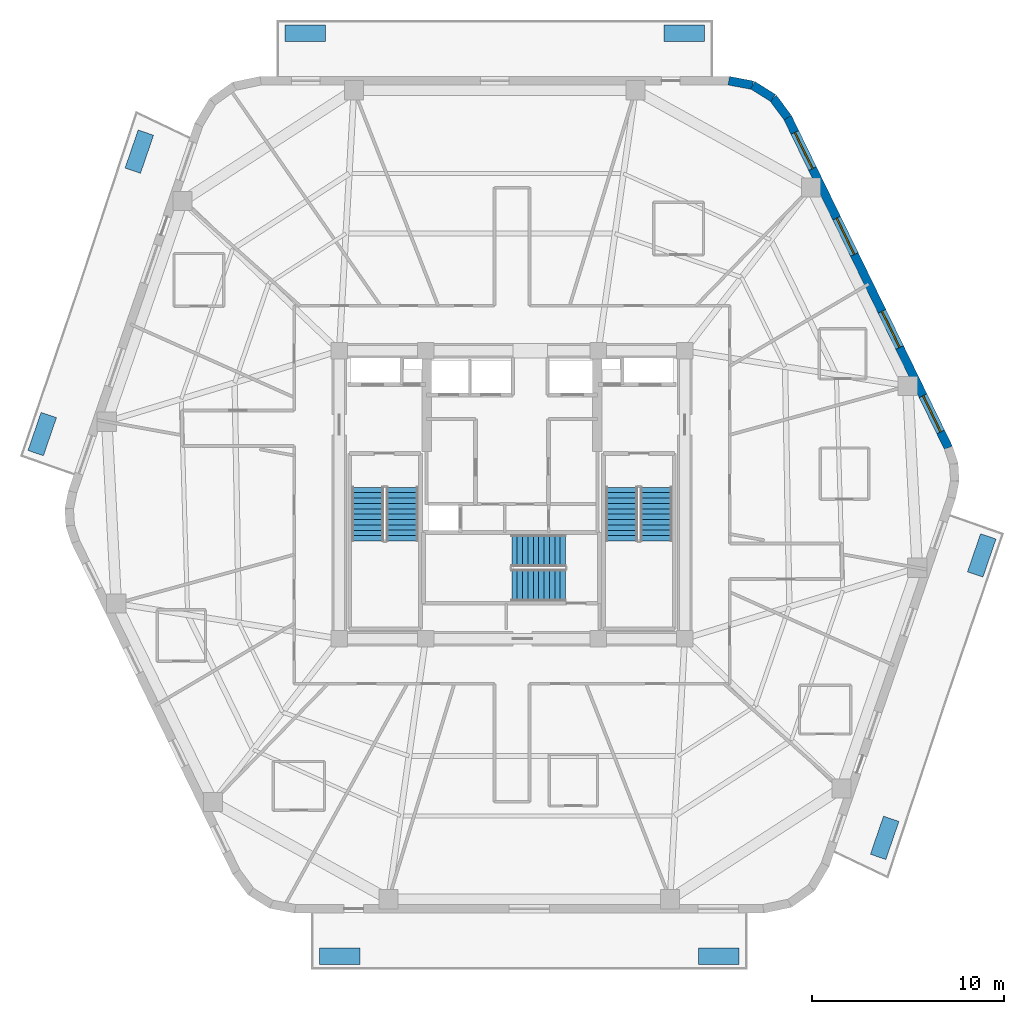
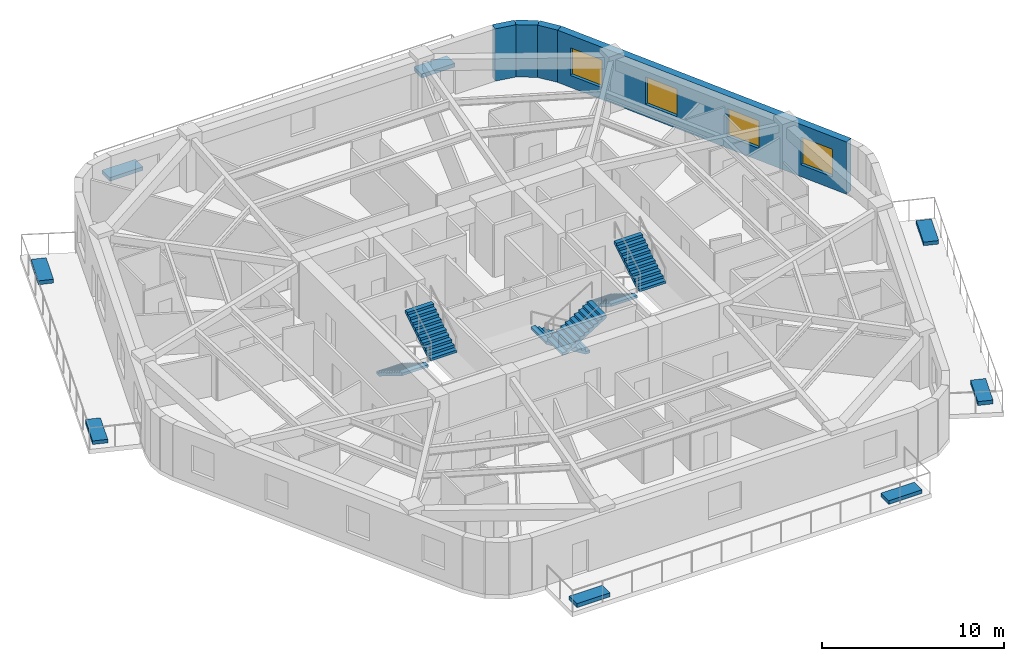
# One storey, part 7 of 9: 8 discrete accessories, 6 stair flights, 4 walls, 4 windows, 4 openings, 3 elements without a shape of their own.
"""IFC4 building model written with IfcOpenShell, lengths in metres."""

import ifcopenshell
import ifcopenshell.guid

model = None  # the IFC model being written
_history = None  # IfcOwnerHistory: only IFC2X3 demands one
_inside = {}  # id of a spatial element -> (the spatial element, [elements in it])
_under = {}  # id of a project, library or spatial element -> (it, [spatial elements below it])
_declared = {}  # id of a project -> (the project, [libraries it declares])
_typed = {}  # id of a type object -> (the type object, [elements of that type])
_made_of = {}  # id of a material, layer set ... -> (it, [elements and type objects made of it])


def new_model(schema):
    """Start an empty IFC model of exactly this schema.

    Asked for "IFC4X3", IfcOpenShell would pick the latest addendum, in which some entities
    have other attributes; the version numbers below select the first issue.
    IFC2X3 requires an IfcOwnerHistory on every rooted entity: one is made here for all.
    """
    global model, _history
    if schema == "IFC4X3":
        model = ifcopenshell.file(schema_version=(4, 3, 0, 0))
    else:
        model = ifcopenshell.file(schema=schema)
    _inside.clear()
    _under.clear()
    _declared.clear()
    _typed.clear()
    _made_of.clear()
    _history = None
    if model.schema == "IFC2X3":
        org = make("IfcOrganization", Name="unknown")
        user = make(
            "IfcPersonAndOrganization",
            ThePerson=make("IfcPerson", FamilyName="unknown"),
            TheOrganization=org,
        )
        app = make(
            "IfcApplication",
            ApplicationDeveloper=org,
            Version="unknown",
            ApplicationFullName="unknown",
            ApplicationIdentifier="unknown",
        )
        _history = make(
            "IfcOwnerHistory",
            OwningUser=user,
            OwningApplication=app,
            ChangeAction="ADDED",
            CreationDate=0,
        )
    return model


def make(cls, **values):
    """One entity of the class cls with the attributes given. An attribute that is None is left unset."""
    return model.create_entity(
        cls, **{name: value for name, value in values.items() if value is not None}
    )


def rooted(cls, **values):
    """An entity with a GlobalId (a new one), such as an element, a storey or a relation."""
    return make(cls, GlobalId=ifcopenshell.guid.new(), OwnerHistory=_history, **values)


def si_unit(unit_type, name, prefix=None):
    """IfcSIUnit, for example si_unit("LENGTHUNIT", "METRE", prefix="MILLI")."""
    return make("IfcSIUnit", UnitType=unit_type, Prefix=prefix, Name=name)


def assignment(units):
    """IfcUnitAssignment: the units of a project."""
    return None if units is None else make("IfcUnitAssignment", Units=units)


def point(xyz):
    """IfcCartesianPoint."""
    return None if xyz is None else make("IfcCartesianPoint", Coordinates=xyz)


def direction(xyz):
    """IfcDirection."""
    return None if xyz is None else make("IfcDirection", DirectionRatios=xyz)


def frame(location, z_axis=None, x_axis=None):
    """IfcAxis2Placement3D, a coordinate frame: its origin and axes. An axis left out is left unset."""
    return make(
        "IfcAxis2Placement3D",
        Location=point(location),
        Axis=direction(z_axis),
        RefDirection=direction(x_axis),
    )


def frame_2d(location, x_axis=None):
    """IfcAxis2Placement2D, a coordinate frame in the plane: its origin and x axis."""
    return make(
        "IfcAxis2Placement2D", Location=point(location), RefDirection=direction(x_axis)
    )


def origin():
    """The frame at (0, 0, 0) with its axes left unset."""
    return frame((0.0, 0.0, 0.0))


def origin_2d():
    """The frame at (0, 0) in the plane with its x axis left unset."""
    return frame_2d((0.0, 0.0))


def place(relative_to, where):
    """IfcLocalPlacement: puts the frame where relative to a parent placement (None: the world)."""
    return make(
        "IfcLocalPlacement", PlacementRelTo=relative_to, RelativePlacement=where
    )


def context(
    kind, dimensions, precision=None, world=None, true_north=None, identifier=None
):
    """IfcGeometricRepresentationContext, for example the 3D "Model" context."""
    return make(
        "IfcGeometricRepresentationContext",
        ContextIdentifier=identifier,
        ContextType=kind,
        CoordinateSpaceDimension=dimensions,
        Precision=precision,
        WorldCoordinateSystem=world,
        TrueNorth=true_north,
    )


def subcontext(parent, identifier, kind, view, scale=None):
    """IfcGeometricRepresentationSubContext, for example "Body" below "Model"."""
    return make(
        "IfcGeometricRepresentationSubContext",
        ContextIdentifier=identifier,
        ContextType=kind,
        ParentContext=parent,
        TargetScale=scale,
        TargetView=view,
    )


def project(units=None, contexts=None):
    """IfcProject with its units and contexts."""
    return rooted(
        "IfcProject",
        Name="project",
        RepresentationContexts=contexts,
        UnitsInContext=assignment(units),
    )


def spatial(cls, under=None, at=None, **own):
    """A site, building, storey or space (cls), placed at a placement, below another one or the project."""
    s = rooted(cls, ObjectPlacement=at, **own)
    if under is not None:
        _under.setdefault(under.id(), (under, []))[1].append(s)
    return s


def polyline(points):
    """IfcPolyline through the points."""
    return make("IfcPolyline", Points=[point(p) for p in points])


def profile(cls, at=None, kind="AREA", **sizes):
    """A parametric profile (cls). Its sizes go by their IFC names, for example OverallWidth=200.0."""
    return make(cls, ProfileType=kind, Position=at, **sizes)


def rectangle(**sizes):
    """IfcRectangleProfileDef."""
    return profile("IfcRectangleProfileDef", **sizes)


def outline(outer, holes=None, kind="AREA"):
    """IfcArbitraryClosedProfileDef: a profile drawn as a closed curve; with holes, ...WithVoids."""
    if holes is None:
        return make("IfcArbitraryClosedProfileDef", ProfileType=kind, OuterCurve=outer)
    return make(
        "IfcArbitraryProfileDefWithVoids",
        ProfileType=kind,
        OuterCurve=outer,
        InnerCurves=holes,
    )


def extrude(swept, where, along, depth):
    """IfcExtrudedAreaSolid: the profile swept, set in the frame where, extruded along a direction by depth."""
    return make(
        "IfcExtrudedAreaSolid",
        SweptArea=swept,
        Position=where,
        ExtrudedDirection=direction(along),
        Depth=depth,
    )


def shape(context_of_items, identifier, shape_type, items):
    """IfcShapeRepresentation: the items that make up one representation, for example the "Body"."""
    return make(
        "IfcShapeRepresentation",
        ContextOfItems=context_of_items,
        RepresentationIdentifier=identifier,
        RepresentationType=shape_type,
        Items=items,
    )


def material(Name=None, Category=None):
    """IfcMaterial."""
    return make("IfcMaterial", Name=Name, Category=Category)


def layer(
    of_material, thickness, ventilated=None, Name=None, Category=None, Priority=None
):
    """IfcMaterialLayer: one layer of a wall or slab, of a material (None: an air gap)."""
    return make(
        "IfcMaterialLayer",
        Material=of_material,
        LayerThickness=thickness,
        IsVentilated=ventilated,
        Name=Name,
        Category=Category,
        Priority=Priority,
    )


def layer_set(layers, Name=None):
    """IfcMaterialLayerSet."""
    return make("IfcMaterialLayerSet", MaterialLayers=layers, LayerSetName=Name)


def made_of(thing, what):
    """Note that an element or type object is made of a material, layer set ...; save() writes the relation."""
    if what is not None:
        _made_of.setdefault(what.id(), (what, []))[1].append(thing)
    return thing


def type_object(cls, material=None, **own):
    """A type object (cls), such as IfcWallType, which elements share."""
    return made_of(rooted(cls, **own), material)


def element(
    cls,
    number,
    at=None,
    inside=None,
    cuts=None,
    type_object=None,
    material=None,
    context=None,
    identifier="Body",
    shape_type=None,
    held_by="IfcProductDefinitionShape",
    body=None,
    shapes=None,
    **own,
):
    """One element of the class cls, such as IfcWall. Its Tag is "e" and its number.

    at: its placement. inside: the storey or other place that contains it. cuts: it is an
    opening in that element (IfcRelVoidsElement). A single representation is given by context,
    identifier, shape_type and body (its items); several are given by shapes. held_by: the class
    of the entity that holds the representations. save() writes the other relations.
    """
    e = rooted(cls, Tag="e%d" % number, ObjectPlacement=at, **own)
    if body is not None:
        shapes = [shape(context, identifier, shape_type, body)]
    if shapes is not None:
        e.Representation = make(held_by, Representations=shapes)
    if inside is not None:
        _inside.setdefault(inside.id(), (inside, []))[1].append(e)
    if cuts is not None:
        rooted(
            "IfcRelVoidsElement", RelatingBuildingElement=cuts, RelatedOpeningElement=e
        )
    if type_object is not None:
        _typed.setdefault(type_object.id(), (type_object, []))[1].append(e)
    return made_of(e, material)


def fill(opening, filler):
    """IfcRelFillsElement: the door or window that sits in an opening."""
    return rooted(
        "IfcRelFillsElement",
        RelatingOpeningElement=opening,
        RelatedBuildingElement=filler,
    )


def aggregate(whole, parts):
    """IfcRelAggregates: a whole, such as a stair, and the parts it consists of."""
    return rooted("IfcRelAggregates", RelatingObject=whole, RelatedObjects=parts)


def save(model, path):
    """Write the relations noted so far, then the file.

    IfcRelAggregates (storeys below a building ...), IfcRelContainedInSpatialStructure (elements
    in a storey), IfcRelDefinesByType, IfcRelAssociatesMaterial and IfcRelDeclares: one each for
    every whole, place, type object, material and project.
    """
    for whole, parts in _under.values():
        aggregate(whole, parts)
    for where, things in _inside.values():
        rooted(
            "IfcRelContainedInSpatialStructure",
            RelatedElements=things,
            RelatingStructure=where,
        )
    for kind, things in _typed.values():
        rooted("IfcRelDefinesByType", RelatedObjects=things, RelatingType=kind)
    for what, things in _made_of.values():
        rooted("IfcRelAssociatesMaterial", RelatedObjects=things, RelatingMaterial=what)
    for by, libraries in _declared.values():
        rooted("IfcRelDeclares", RelatingContext=by, RelatedDefinitions=libraries)
    model.write(path)


model = new_model("IFC4")

# Units and contexts
model_context = context("Model", 3, precision=1e-05, world=origin(), true_north=direction((0.0, 1.0)))
body_context = subcontext(model_context, "Body", "Model", "MODEL_VIEW")
ifc_project = project(units=[si_unit("LENGTHUNIT", "METRE"), si_unit("AREAUNIT", "SQUARE_METRE"), si_unit("VOLUMEUNIT", "CUBIC_METRE"), si_unit("PLANEANGLEUNIT", "RADIAN"), si_unit("MASSUNIT", "GRAM", prefix="KILO")], contexts=[model_context])

# Site, building, storey
site_placement = place(None, origin())
site = spatial("IfcSite", under=ifc_project, at=site_placement, CompositionType="ELEMENT")
building_placement = place(site_placement, origin())
building = spatial("IfcBuilding", under=site, at=building_placement, Name="Kilnhurst Terrace Hotel", CompositionType="ELEMENT")
storey_placement = place(building_placement, frame((0.0, 0.0, 221.699951171875)))
storey = spatial("IfcBuildingStorey", under=building, at=storey_placement, Name="L55", CompositionType="ELEMENT", Elevation=221.699951171875)

# Walls
ifc_material_1 = material(Name="Precast concrete C40/50", Category="concrete")
ifc_layer = layer(ifc_material_1, 0.449951171875, Name="Precast concrete C40/50")
ifc_layer_set = layer_set([ifc_layer], Name="Precast concrete C40/50")
wall_type = type_object("IfcWallType", Name="WL-BRK-450", PredefinedType="SOLIDWALL", material=ifc_layer_set)
wall_1_placement = place(storey_placement, frame((14.3623046875, 19.658447265625, 0.0), z_axis=(0.0, 0.0, 1.0), x_axis=(-0.596642462792, 0.80250717853, 0.0)))
element("IfcWall", 1, at=wall_1_placement, inside=storey, type_object=wall_type, Name="L55 Rounded Corner Brick Wall C4.1", PredefinedType="SOLIDWALL", context=body_context, shape_type="SweptSolid", body=[
    extrude(rectangle(XDim=1.27001953125, YDim=0.449951171875, at=frame_2d((0.635009765625, 0.0))), origin(), (0.0, 0.0, 1.0), 3.5),
])
wall_2_placement = place(storey_placement, frame((13.6044921875, 20.677734375, 0.0), z_axis=(0.0, 0.0, 1.0), x_axis=(-0.847910404124, 0.53013955387, 0.0)))
element("IfcWall", 2, at=wall_2_placement, inside=storey, type_object=wall_type, Name="L55 Rounded Corner Brick Wall C4.2", PredefinedType="SOLIDWALL", context=body_context, shape_type="SweptSolid", body=[
    extrude(rectangle(XDim=1.24853515625, YDim=0.449951171875, at=frame_2d((0.624267578125, 0.0))), origin(), (0.0, 0.0, 1.0), 3.5),
])
wall_3_placement = place(storey_placement, frame((12.5458984375, 21.339599609375, 0.0), z_axis=(0.0, 0.0, 1.0), x_axis=(-0.982686750835, 0.18527479519, 0.0)))
element("IfcWall", 3, at=wall_3_placement, inside=storey, type_object=wall_type, Name="L55 Rounded Corner Brick Wall C4.3", PredefinedType="SOLIDWALL", context=body_context, shape_type="SweptSolid", body=[
    extrude(rectangle(XDim=1.270263671875, YDim=0.449951171875, at=frame_2d((0.63525390625, 0.0))), origin(), (0.0, 0.0, 1.0), 3.5),
])

# Wall, openings, windows
wall_4_placement = place(storey_placement, frame((22.73974609375, 2.4521484375, 0.0), z_axis=(0.0, 0.0, 1.0), x_axis=(-0.437753424814, 0.899095066755, 0.0)))
wall_4 = element("IfcWall", 4, at=wall_4_placement, inside=storey, type_object=wall_type, Name="L55 Exterior Brick Facade Wall F3", PredefinedType="SOLIDWALL", context=body_context, shape_type="SweptSolid", body=[
    extrude(rectangle(XDim=19.137451171875, YDim=0.449951171875, at=frame_2d((9.56884765625, 0.0))), origin(), (0.0, 0.0, 1.0), 3.5),
])
opening_1_placement = place(wall_4_placement, frame((5.804931640625, 0.0, 0.800048828125)))
opening_1 = element("IfcOpeningElement", 5, at=opening_1_placement, cuts=wall_4, Name="Opening W-04", PredefinedType="OPENING", context=body_context, shape_type="SweptSolid", body=[
    extrude(rectangle(XDim=2.10009765625, YDim=1.85009765625, at=frame_2d((1.050048828125, 0.925048828125))), frame((0.0, 0.23486328125, 0.0), z_axis=(0.0, -1.0, 0.0), x_axis=(1.0, 0.0, 0.0)), (0.0, 0.0, 1.0), 0.469970703125),
])
opening_2_placement = place(wall_4_placement, frame((11.198974609375, 0.0, 0.800048828125)))
opening_2 = element("IfcOpeningElement", 6, at=opening_2_placement, cuts=wall_4, Name="Opening W-04", PredefinedType="OPENING", context=body_context, shape_type="SweptSolid", body=[
    extrude(rectangle(XDim=2.10009765625, YDim=1.85009765625, at=frame_2d((1.050048828125, 0.925048828125))), frame((0.0, 0.23486328125, 0.0), z_axis=(0.0, -1.0, 0.0), x_axis=(1.0, 0.0, 0.0)), (0.0, 0.0, 1.0), 0.469970703125),
])
opening_3_placement = place(wall_4_placement, frame((16.173095703125, 0.0, 0.800048828125)))
opening_3 = element("IfcOpeningElement", 7, at=opening_3_placement, cuts=wall_4, Name="Opening W-04", PredefinedType="OPENING", context=body_context, shape_type="SweptSolid", body=[
    extrude(rectangle(XDim=2.10009765625, YDim=1.85009765625, at=frame_2d((1.050048828125, 0.925048828125))), frame((0.0, 0.23486328125, 0.0), z_axis=(0.0, -1.0, 0.0), x_axis=(1.0, 0.0, 0.0)), (0.0, 0.0, 1.0), 0.469970703125),
])
opening_4_placement = place(wall_4_placement, frame((0.916015625, 0.0, 0.800048828125)))
opening_4 = element("IfcOpeningElement", 8, at=opening_4_placement, cuts=wall_4, Name="Opening W-04", PredefinedType="OPENING", context=body_context, shape_type="SweptSolid", body=[
    extrude(rectangle(XDim=2.10009765625, YDim=1.85009765625, at=frame_2d((1.050048828125, 0.925048828125))), frame((0.0, 0.23486328125, 0.0), z_axis=(0.0, -1.0, 0.0), x_axis=(1.0, 0.0, 0.0)), (0.0, 0.0, 1.0), 0.469970703125),
])
ifc_material_2 = material(Name="Thermally Broken Bronze Aluminium Alloy 6063-T6 and Low-E Glass", Category="aluminium")
window_type = type_object("IfcWindowType", Name="WIN-2100X1850", PartitioningType="SINGLE_PANEL", PredefinedType="WINDOW", material=ifc_material_2)
window_1_placement = place(opening_1_placement, origin())
window_1 = element("IfcWindow", 9, at=window_1_placement, inside=storey, type_object=window_type, Name="L55 Deep-Set Masonry Window F3.1", OverallHeight=1.85009765625, OverallWidth=2.10009765625, PartitioningType="SINGLE_PANEL", PredefinedType="WINDOW", context=body_context, shape_type="SweptSolid", body=[
    extrude(rectangle(XDim=2.10009765625, YDim=1.85009765625, at=frame_2d((1.050048828125, 0.925048828125))), frame((0.0, 0.030029296875, 0.0), z_axis=(0.0, -1.0, 0.0), x_axis=(1.0, 0.0, 0.0)), (0.0, 0.0, 1.0), 0.06005859375),
])
fill(opening_1, window_1)
window_2_placement = place(opening_2_placement, origin())
window_2 = element("IfcWindow", 10, at=window_2_placement, inside=storey, type_object=window_type, Name="L55 Deep-Set Masonry Window F3.2", OverallHeight=1.85009765625, OverallWidth=2.10009765625, PartitioningType="SINGLE_PANEL", PredefinedType="WINDOW", context=body_context, shape_type="SweptSolid", body=[
    extrude(rectangle(XDim=2.10009765625, YDim=1.85009765625, at=frame_2d((1.050048828125, 0.925048828125))), frame((0.0, 0.030029296875, 0.0), z_axis=(0.0, -1.0, 0.0), x_axis=(1.0, 0.0, 0.0)), (0.0, 0.0, 1.0), 0.06005859375),
])
fill(opening_2, window_2)
window_3_placement = place(opening_3_placement, origin())
window_3 = element("IfcWindow", 11, at=window_3_placement, inside=storey, type_object=window_type, Name="L55 Deep-Set Masonry Window F3.3", OverallHeight=1.85009765625, OverallWidth=2.10009765625, PartitioningType="SINGLE_PANEL", PredefinedType="WINDOW", context=body_context, shape_type="SweptSolid", body=[
    extrude(rectangle(XDim=2.10009765625, YDim=1.85009765625, at=frame_2d((1.050048828125, 0.925048828125))), frame((0.0, 0.030029296875, 0.0), z_axis=(0.0, -1.0, 0.0), x_axis=(1.0, 0.0, 0.0)), (0.0, 0.0, 1.0), 0.06005859375),
])
fill(opening_3, window_3)
window_4_placement = place(opening_4_placement, origin())
window_4 = element("IfcWindow", 12, at=window_4_placement, inside=storey, type_object=window_type, Name="L55 Deep-Set Masonry Window F3.4", OverallHeight=1.85009765625, OverallWidth=2.10009765625, PartitioningType="SINGLE_PANEL", PredefinedType="WINDOW", context=body_context, shape_type="SweptSolid", body=[
    extrude(rectangle(XDim=2.10009765625, YDim=1.85009765625, at=frame_2d((1.050048828125, 0.925048828125))), frame((0.0, 0.030029296875, 0.0), z_axis=(0.0, -1.0, 0.0), x_axis=(1.0, 0.0, 0.0)), (0.0, 0.0, 1.0), 0.06005859375),
])
fill(opening_4, window_4)

# Stair, stair flights
ifc_material_3 = material(Name="Concrete C50/60", Category="concrete")
stair_type = type_object("IfcStairType", Name="STR-CORE-1660", PredefinedType="HALF_TURN_STAIR", material=ifc_material_3)
stair_1_placement = place(storey_placement, origin())
stair_1 = element("IfcStair", 13, at=stair_1_placement, inside=storey, type_object=stair_type, Name="L55 ST-1", PredefinedType="HALF_TURN_STAIR")
stair_flight_type = type_object("IfcStairFlightType", Name="FLT-RC-1660", PredefinedType="STRAIGHT", material=ifc_material_3)
stair_flight_1_placement = place(storey_placement, frame((-7.52001953125, 0.389892578125, 0.0), z_axis=(0.0, 0.0, 1.0), x_axis=(0.0, -1.0, 0.0)))
stair_flight_1 = element("IfcStairFlight", 14, at=stair_flight_1_placement, type_object=stair_flight_type, Name="ST-1 flight 1", NumberOfRisers=11, NumberOfTreads=10, PredefinedType="STRAIGHT", RiserHeight=0.172727273, TreadLength=0.28, context=body_context, shape_type="SweptSolid", body=[
    extrude(outline(polyline([(0.0, 0.0), (0.0, 0.172607421875), (0.280029296875, 0.172607421875), (0.280029296875, 0.345458984375), (0.56005859375, 0.345458984375), (0.56005859375, 0.51806640625), (0.840087890625, 0.51806640625), (0.840087890625, 0.69091796875), (1.1201171875, 0.69091796875), (1.1201171875, 0.863525390625), (1.39990234375, 0.863525390625), (1.39990234375, 1.036376953125), (1.679931640625, 1.036376953125), (1.679931640625, 1.208984375), (1.9599609375, 1.208984375), (1.9599609375, 1.3818359375), (2.239990234375, 1.3818359375), (2.239990234375, 1.554443359375), (2.52001953125, 1.554443359375), (2.52001953125, 1.727294921875), (2.800048828125, 1.727294921875), (2.800048828125, 1.89990234375), (2.800048828125, 1.551025390625), (0.285400390625, 0.0), (0.0, 0.0)])), frame((0.0, 0.830078125, 0.0), z_axis=(0.0, -1.0, 0.0), x_axis=(1.0, 0.0, 0.0)), (0.0, 0.0, 1.0), 1.659912109375),
])
stair_flight_2_placement = place(storey_placement, frame((-5.7099609375, -2.409912109375, 1.900146484375), z_axis=(0.0, 0.0, 1.0), x_axis=(0.0, 1.0, 0.0)))
stair_flight_2 = element("IfcStairFlight", 15, at=stair_flight_2_placement, type_object=stair_flight_type, Name="ST-1 flight 2", NumberOfRisers=11, NumberOfTreads=10, PredefinedType="STRAIGHT", RiserHeight=0.172727273, TreadLength=0.28, context=body_context, shape_type="SweptSolid", body=[
    extrude(outline(polyline([(0.0, 0.0), (0.0, 0.172607421875), (0.280029296875, 0.172607421875), (0.280029296875, 0.345458984375), (0.56005859375, 0.345458984375), (0.56005859375, 0.51806640625), (0.840087890625, 0.51806640625), (0.840087890625, 0.69091796875), (1.1201171875, 0.69091796875), (1.1201171875, 0.863525390625), (1.39990234375, 0.863525390625), (1.39990234375, 1.036376953125), (1.679931640625, 1.036376953125), (1.679931640625, 1.208984375), (1.9599609375, 1.208984375), (1.9599609375, 1.3818359375), (2.239990234375, 1.3818359375), (2.239990234375, 1.554443359375), (2.52001953125, 1.554443359375), (2.52001953125, 1.727294921875), (2.800048828125, 1.727294921875), (2.800048828125, 1.89990234375), (2.800048828125, 1.551025390625), (0.285400390625, 0.0), (0.0, 0.0)])), frame((0.0, 0.830078125, 0.0), z_axis=(0.0, -1.0, 0.0), x_axis=(1.0, 0.0, 0.0)), (0.0, 0.0, 1.0), 1.659912109375),
])
aggregate(stair_1, [stair_flight_1, stair_flight_2])

stair_2_placement = place(storey_placement, origin())
stair_2 = element("IfcStair", 16, at=stair_2_placement, inside=storey, type_object=stair_type, Name="L55 ST-2", PredefinedType="HALF_TURN_STAIR")
stair_flight_3_placement = place(storey_placement, frame((5.7099609375, 0.389892578125, 0.0), z_axis=(0.0, 0.0, 1.0), x_axis=(0.0, -1.0, 0.0)))
stair_flight_3 = element("IfcStairFlight", 17, at=stair_flight_3_placement, type_object=stair_flight_type, Name="ST-2 flight 1", NumberOfRisers=11, NumberOfTreads=10, PredefinedType="STRAIGHT", RiserHeight=0.172727273, TreadLength=0.28, context=body_context, shape_type="SweptSolid", body=[
    extrude(outline(polyline([(0.0, 0.0), (0.0, 0.172607421875), (0.280029296875, 0.172607421875), (0.280029296875, 0.345458984375), (0.56005859375, 0.345458984375), (0.56005859375, 0.51806640625), (0.840087890625, 0.51806640625), (0.840087890625, 0.69091796875), (1.1201171875, 0.69091796875), (1.1201171875, 0.863525390625), (1.39990234375, 0.863525390625), (1.39990234375, 1.036376953125), (1.679931640625, 1.036376953125), (1.679931640625, 1.208984375), (1.9599609375, 1.208984375), (1.9599609375, 1.3818359375), (2.239990234375, 1.3818359375), (2.239990234375, 1.554443359375), (2.52001953125, 1.554443359375), (2.52001953125, 1.727294921875), (2.800048828125, 1.727294921875), (2.800048828125, 1.89990234375), (2.800048828125, 1.551025390625), (0.285400390625, 0.0), (0.0, 0.0)])), frame((0.0, 0.830078125, 0.0), z_axis=(0.0, -1.0, 0.0), x_axis=(1.0, 0.0, 0.0)), (0.0, 0.0, 1.0), 1.659912109375),
])
stair_flight_4_placement = place(storey_placement, frame((7.52001953125, -2.409912109375, 1.900146484375), z_axis=(0.0, 0.0, 1.0), x_axis=(0.0, 1.0, 0.0)))
stair_flight_4 = element("IfcStairFlight", 18, at=stair_flight_4_placement, type_object=stair_flight_type, Name="ST-2 flight 2", NumberOfRisers=11, NumberOfTreads=10, PredefinedType="STRAIGHT", RiserHeight=0.172727273, TreadLength=0.28, context=body_context, shape_type="SweptSolid", body=[
    extrude(outline(polyline([(0.0, 0.0), (0.0, 0.172607421875), (0.280029296875, 0.172607421875), (0.280029296875, 0.345458984375), (0.56005859375, 0.345458984375), (0.56005859375, 0.51806640625), (0.840087890625, 0.51806640625), (0.840087890625, 0.69091796875), (1.1201171875, 0.69091796875), (1.1201171875, 0.863525390625), (1.39990234375, 0.863525390625), (1.39990234375, 1.036376953125), (1.679931640625, 1.036376953125), (1.679931640625, 1.208984375), (1.9599609375, 1.208984375), (1.9599609375, 1.3818359375), (2.239990234375, 1.3818359375), (2.239990234375, 1.554443359375), (2.52001953125, 1.554443359375), (2.52001953125, 1.727294921875), (2.800048828125, 1.727294921875), (2.800048828125, 1.89990234375), (2.800048828125, 1.551025390625), (0.285400390625, 0.0), (0.0, 0.0)])), frame((0.0, 0.830078125, 0.0), z_axis=(0.0, -1.0, 0.0), x_axis=(1.0, 0.0, 0.0)), (0.0, 0.0, 1.0), 1.659912109375),
])
aggregate(stair_2, [stair_flight_3, stair_flight_4])

stair_3_placement = place(storey_placement, origin())
stair_3 = element("IfcStair", 19, at=stair_3_placement, inside=storey, type_object=stair_type, Name="L55 ST-3", PredefinedType="HALF_TURN_STAIR")
stair_flight_5_placement = place(storey_placement, frame((2.7900390625, -2.909912109375, 0.0), z_axis=(0.0, 0.0, 1.0), x_axis=(-1.0, 0.0, 0.0)))
stair_flight_5 = element("IfcStairFlight", 20, at=stair_flight_5_placement, type_object=stair_flight_type, Name="ST-3 flight 1", NumberOfRisers=11, NumberOfTreads=10, PredefinedType="STRAIGHT", RiserHeight=0.172727273, TreadLength=0.28, context=body_context, shape_type="SweptSolid", body=[
    extrude(outline(polyline([(0.0, 0.0), (0.0, 0.172607421875), (0.280029296875, 0.172607421875), (0.280029296875, 0.345458984375), (0.56005859375, 0.345458984375), (0.56005859375, 0.51806640625), (0.840087890625, 0.51806640625), (0.840087890625, 0.69091796875), (1.1201171875, 0.69091796875), (1.1201171875, 0.863525390625), (1.39990234375, 0.863525390625), (1.39990234375, 1.036376953125), (1.679931640625, 1.036376953125), (1.679931640625, 1.208984375), (1.9599609375, 1.208984375), (1.9599609375, 1.3818359375), (2.239990234375, 1.3818359375), (2.239990234375, 1.554443359375), (2.52001953125, 1.554443359375), (2.52001953125, 1.727294921875), (2.800048828125, 1.727294921875), (2.800048828125, 1.89990234375), (2.800048828125, 1.551025390625), (0.285400390625, 0.0), (0.0, 0.0)])), frame((0.0, 0.830078125, 0.0), z_axis=(0.0, -1.0, 0.0), x_axis=(1.0, 0.0, 0.0)), (0.0, 0.0, 1.0), 1.659912109375),
])
stair_flight_6_placement = place(storey_placement, frame((-0.010009765625, -4.719970703125, 1.900146484375), z_axis=(0.0, 0.0, 1.0), x_axis=(1.0, 0.0, 0.0)))
stair_flight_6 = element("IfcStairFlight", 21, at=stair_flight_6_placement, type_object=stair_flight_type, Name="ST-3 flight 2", NumberOfRisers=11, NumberOfTreads=10, PredefinedType="STRAIGHT", RiserHeight=0.172727273, TreadLength=0.28, context=body_context, shape_type="SweptSolid", body=[
    extrude(outline(polyline([(0.0, 0.0), (0.0, 0.172607421875), (0.280029296875, 0.172607421875), (0.280029296875, 0.345458984375), (0.56005859375, 0.345458984375), (0.56005859375, 0.51806640625), (0.840087890625, 0.51806640625), (0.840087890625, 0.69091796875), (1.1201171875, 0.69091796875), (1.1201171875, 0.863525390625), (1.39990234375, 0.863525390625), (1.39990234375, 1.036376953125), (1.679931640625, 1.036376953125), (1.679931640625, 1.208984375), (1.9599609375, 1.208984375), (1.9599609375, 1.3818359375), (2.239990234375, 1.3818359375), (2.239990234375, 1.554443359375), (2.52001953125, 1.554443359375), (2.52001953125, 1.727294921875), (2.800048828125, 1.727294921875), (2.800048828125, 1.89990234375), (2.800048828125, 1.551025390625), (0.285400390625, 0.0), (0.0, 0.0)])), frame((0.0, 0.830078125, 0.0), z_axis=(0.0, -1.0, 0.0), x_axis=(1.0, 0.0, 0.0)), (0.0, 0.0, 1.0), 1.659912109375),
])
aggregate(stair_3, [stair_flight_5, stair_flight_6])

# Discrete accessories
ifc_material_4 = material(Name="Precast Concrete C40/50 Shrub Planter", Category="concrete")
discrete_accessory_type_1 = type_object("IfcDiscreteAccessoryType", Name="PLN-SHRUB-240", PredefinedType="USERDEFINED", material=ifc_material_4)
for number, where, z_axis, x_axis, name in (
    (22, (10.77490234375, -24.050048828125, 0.0), (0.0, 0.0, 1.0), (1.0, 0.0, 0.0), "L55 Structural Tree Planter Box PLANTER BAL-L1A.2"),
    (23, (24.47998046875, -3.16259765625, 0.0), (0.0, 0.0, 1.0), (0.325089542819, 0.94568323933, 0.0), "L55 Structural Tree Planter Box PLANTER BAL-L1B.2"),
    (24, (-10.77490234375, 24.050048828125, 0.0), (0.0, 0.0, 1.0), (-1.0, 0.0, 0.0), "L55 Structural Tree Planter Box PLANTER BAL-L2A.2"),
    (25, (-24.47998046875, 3.16259765625, 0.0), (0.0, 0.0, 1.0), (-0.325089542819, -0.94568323933, 0.0), "L55 Structural Tree Planter Box PLANTER BAL-L2B.2"),
):
    element("IfcDiscreteAccessory", number, at=place(storey_placement, frame(where, z_axis=z_axis, x_axis=x_axis)), inside=storey, type_object=discrete_accessory_type_1, Name=name, ObjectType="PLANTER", PredefinedType="USERDEFINED", context=body_context, shape_type="SweptSolid", body=[
        extrude(rectangle(XDim=2.10009765625, YDim=0.85009765625, at=origin_2d()), origin(), (0.0, 0.0, 1.0), 0.239990234375),
    ])
ifc_material_5 = material(Name="Precast Concrete C40/50 Tree Planter", Category="concrete")
discrete_accessory_type_2 = type_object("IfcDiscreteAccessoryType", Name="PLN-TREE-260", PredefinedType="USERDEFINED", material=ifc_material_5)
for number, where, z_axis, x_axis, name in (
    (26, (-8.96875, -24.050048828125, 0.0), (0.0, 0.0, 1.0), (1.0, 0.0, 0.0), "L55 Structural Tree Planter Box PLANTER BAL-L1A.1"),
    (27, (19.4208984375, -17.87939453125, 0.0), (0.0, 0.0, 1.0), (0.325089542819, 0.94568323933, 0.0), "L55 Structural Tree Planter Box PLANTER BAL-L1B.1"),
    (28, (8.96875, 24.050048828125, 0.0), (0.0, 0.0, 1.0), (-1.0, 0.0, 0.0), "L55 Structural Tree Planter Box PLANTER BAL-L2A.1"),
    (29, (-19.4208984375, 17.87939453125, 0.0), (0.0, 0.0, 1.0), (-0.325089542819, -0.94568323933, 0.0), "L55 Structural Tree Planter Box PLANTER BAL-L2B.1"),
):
    element("IfcDiscreteAccessory", number, at=place(storey_placement, frame(where, z_axis=z_axis, x_axis=x_axis)), inside=storey, type_object=discrete_accessory_type_2, Name=name, ObjectType="PLANTER", PredefinedType="USERDEFINED", context=body_context, shape_type="SweptSolid", body=[
        extrude(rectangle(XDim=2.10009765625, YDim=0.85009765625, at=origin_2d()), origin(), (0.0, 0.0, 1.0), 0.260009765625),
    ])

save(model, "model.ifc")
